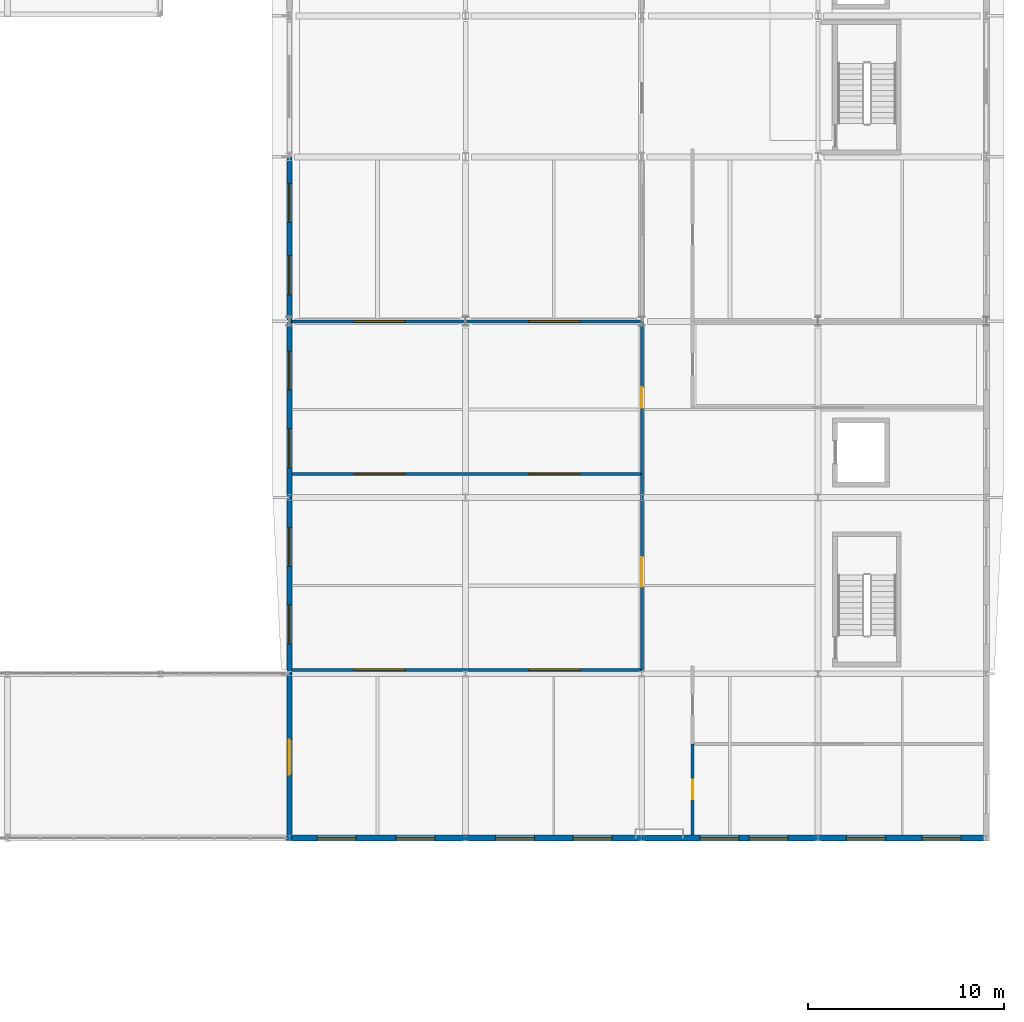
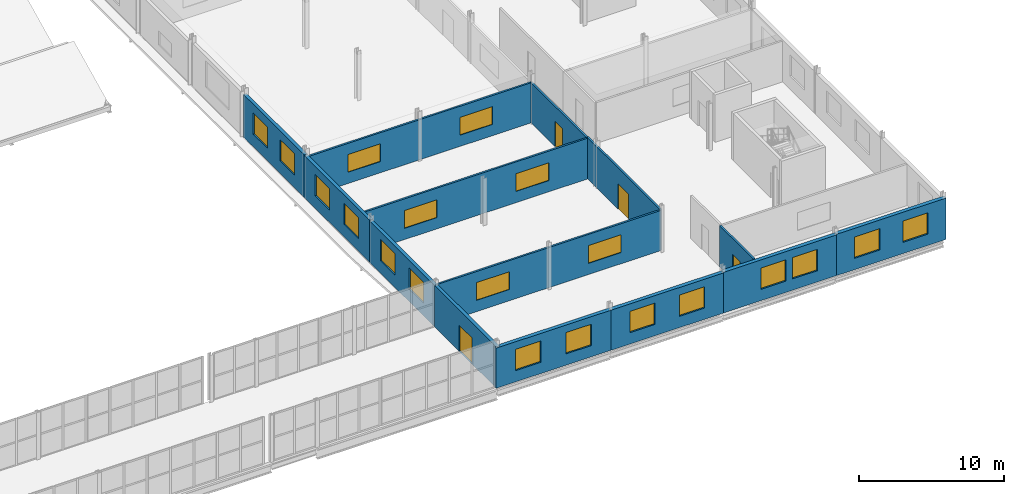
# One storey, part 119 of 138: 20 windows, 14 walls, 4 doors, 24 openings.
"""IFC4 building model written with IfcOpenShell, lengths in metres."""

from ifc_helpers import new_model, si_unit, direction, frame, frame_2d, origin, place, context, subcontext, project, spatial, rectangle, extrude, material, layer, layer_set, type_object, element, fill, save


model = new_model("IFC4")

# Units and contexts
model_context = context("Model", 3, precision=1e-05, world=origin(), true_north=direction((0.0, 1.0)))
body_context = subcontext(model_context, "Body", "Model", "MODEL_VIEW")
ifc_project = project(units=[si_unit("LENGTHUNIT", "METRE"), si_unit("AREAUNIT", "SQUARE_METRE"), si_unit("VOLUMEUNIT", "CUBIC_METRE"), si_unit("PLANEANGLEUNIT", "RADIAN"), si_unit("MASSUNIT", "GRAM", prefix="KILO")], contexts=[model_context])

# Site, building, storey
site_placement = place(None, origin())
site = spatial("IfcSite", under=ifc_project, at=site_placement, CompositionType="ELEMENT")
building_placement = place(site_placement, origin())
building = spatial("IfcBuilding", under=site, at=building_placement, Name="Vinh Khe Railworks Police Headquarters", CompositionType="ELEMENT")
storey_placement = place(building_placement, frame((0.0, 0.0, 9.0)))
storey = spatial("IfcBuildingStorey", under=building, at=storey_placement, Name="L02", CompositionType="ELEMENT", Elevation=9.0)

# Wall, opening, door
ifc_material_1 = material(Name="Clay brickwork", Category="masonry")
ifc_layer_1 = layer(ifc_material_1, 0.260009765625)
ifc_layer_set_1 = layer_set([ifc_layer_1], Name="Clay brickwork")
wall_type_1 = type_object("IfcWallType", Name="EW-BRK-260", PredefinedType="SOLIDWALL", material=ifc_layer_set_1)
wall_1_placement = place(storey_placement, frame((78.0, 95.8701171875, 0.0), z_axis=(0.0, 0.0, 1.0), x_axis=(0.0, 1.0, 0.0)))
wall_1 = element("IfcWall", 1, at=wall_1_placement, inside=storey, type_object=wall_type_1, Name="Exterior Brick Wall EW-L02-V6W-01", PredefinedType="SOLIDWALL", context=body_context, shape_type="SweptSolid", body=[
    extrude(rectangle(XDim=8.52978515625, YDim=0.260009765625, at=frame_2d((4.264892578125, 0.0))), origin(), (0.0, 0.0, 1.0), 3.485107421875),
])
opening_1_placement = place(wall_1_placement, frame((3.364990234375, 0.0, 0.0)))
opening_1 = element("IfcOpeningElement", 2, at=opening_1_placement, cuts=wall_1, Name="Opening ED-03", PredefinedType="OPENING", context=body_context, shape_type="SweptSolid", body=[
    extrude(rectangle(XDim=1.800048828125, YDim=2.199951171875, at=frame_2d((0.89990234375, 1.10009765625))), frame((0.0, 0.14501953125, 0.0), z_axis=(0.0, -1.0, 0.0), x_axis=(1.0, 0.0, 0.0)), (0.0, 0.0, 1.0), 0.289794921875),
])
ifc_material_2 = material(Name="Dark anodised aluminium and solar-control glass", Category="aluminium")
door_type_1 = type_object("IfcDoorType", Name="ED-TER-1800", OperationType="DOUBLE_DOOR_SINGLE_SWING", PredefinedType="DOOR", material=ifc_material_2)
door_1_placement = place(opening_1_placement, origin())
door_1 = element("IfcDoor", 3, at=door_1_placement, inside=storey, type_object=door_type_1, Name="Court Link Bridge East Portal Door L02", OperationType="DOUBLE_DOOR_SINGLE_SWING", OverallHeight=2.199951171875, OverallWidth=1.800048828125, PredefinedType="DOOR", context=body_context, shape_type="SweptSolid", body=[
    extrude(rectangle(XDim=1.800048828125, YDim=2.199951171875, at=frame_2d((0.89990234375, 1.10009765625))), frame((0.0, 0.02490234375, 0.0), z_axis=(0.0, -1.0, 0.0), x_axis=(1.0, 0.0, 0.0)), (0.0, 0.0, 1.0), 0.050048828125),
])
fill(opening_1, door_1)

# Wall, openings, windows
wall_2_placement = place(storey_placement, frame((78.0, 104.39990234375, 0.0), z_axis=(0.0, 0.0, 1.0), x_axis=(0.0, 1.0, 0.0)))
wall_2 = element("IfcWall", 4, at=wall_2_placement, inside=storey, type_object=wall_type_1, Name="Exterior Brick Wall EW-L02-V6W-02", PredefinedType="SOLIDWALL", context=body_context, shape_type="SweptSolid", body=[
    extrude(rectangle(XDim=9.0, YDim=0.260009765625, at=frame_2d((4.5, 0.0))), origin(), (0.0, 0.0, 1.0), 3.485107421875),
])
opening_2_placement = place(wall_2_placement, frame((1.52001953125, 0.0, 1.050048828125)))
opening_2 = element("IfcOpeningElement", 5, at=opening_2_placement, cuts=wall_2, Name="Opening WN-04", PredefinedType="OPENING", context=body_context, shape_type="SweptSolid", body=[
    extrude(rectangle(XDim=2.0, YDim=1.800048828125, at=frame_2d((1.0, 0.89990234375))), frame((0.0, 0.14501953125, 0.0), z_axis=(0.0, -1.0, 0.0), x_axis=(1.0, 0.0, 0.0)), (0.0, 0.0, 1.0), 0.289794921875),
])
opening_3_placement = place(wall_2_placement, frame((5.47998046875, 0.0, 1.050048828125)))
opening_3 = element("IfcOpeningElement", 6, at=opening_3_placement, cuts=wall_2, Name="Opening WN-04", PredefinedType="OPENING", context=body_context, shape_type="SweptSolid", body=[
    extrude(rectangle(XDim=2.0, YDim=1.800048828125, at=frame_2d((1.0, 0.89990234375))), frame((0.0, 0.14501953125, 0.0), z_axis=(0.0, -1.0, 0.0), x_axis=(1.0, 0.0, 0.0)), (0.0, 0.0, 1.0), 0.289794921875),
])
ifc_material_3 = material(Name="Double-glazed solar-control glass in dark steel frame", Category="steel")
window_type_1 = type_object("IfcWindowType", Name="WIN-WN-04", PartitioningType="DOUBLE_PANEL_VERTICAL", PredefinedType="WINDOW", material=ifc_material_3)
window_1_placement = place(opening_2_placement, origin())
window_1 = element("IfcWindow", 7, at=window_1_placement, inside=storey, type_object=window_type_1, Name="Casement Window WN-04", OverallHeight=1.800048828125, OverallWidth=2.0, PartitioningType="SINGLE_PANEL", PredefinedType="WINDOW", context=body_context, shape_type="SweptSolid", body=[
    extrude(rectangle(XDim=2.0, YDim=1.800048828125, at=frame_2d((1.0, 0.89990234375))), frame((0.0, 0.030029296875, 0.0), z_axis=(0.0, -1.0, 0.0), x_axis=(1.0, 0.0, 0.0)), (0.0, 0.0, 1.0), 0.06005859375),
])
fill(opening_2, window_1)
window_2_placement = place(opening_3_placement, origin())
window_2 = element("IfcWindow", 8, at=window_2_placement, inside=storey, type_object=window_type_1, Name="Casement Window WN-04", OverallHeight=1.800048828125, OverallWidth=2.0, PartitioningType="SINGLE_PANEL", PredefinedType="WINDOW", context=body_context, shape_type="SweptSolid", body=[
    extrude(rectangle(XDim=2.0, YDim=1.800048828125, at=frame_2d((1.0, 0.89990234375))), frame((0.0, 0.030029296875, 0.0), z_axis=(0.0, -1.0, 0.0), x_axis=(1.0, 0.0, 0.0)), (0.0, 0.0, 1.0), 0.06005859375),
])
fill(opening_3, window_2)

wall_3_placement = place(storey_placement, frame((78.0, 113.39990234375, 0.0), z_axis=(0.0, 0.0, 1.0), x_axis=(0.0, 1.0, 0.0)))
wall_3 = element("IfcWall", 9, at=wall_3_placement, inside=storey, type_object=wall_type_1, Name="Exterior Brick Wall EW-L02-V6W-03", PredefinedType="SOLIDWALL", context=body_context, shape_type="SweptSolid", body=[
    extrude(rectangle(XDim=9.0, YDim=0.260009765625, at=frame_2d((4.5, 0.0))), origin(), (0.0, 0.0, 1.0), 3.534912109375),
])
opening_4_placement = place(wall_3_placement, frame((1.52001953125, 0.0, 1.050048828125)))
opening_4 = element("IfcOpeningElement", 10, at=opening_4_placement, cuts=wall_3, Name="Opening WN-04", PredefinedType="OPENING", context=body_context, shape_type="SweptSolid", body=[
    extrude(rectangle(XDim=2.0, YDim=1.800048828125, at=frame_2d((1.0, 0.89990234375))), frame((0.0, 0.14501953125, 0.0), z_axis=(0.0, -1.0, 0.0), x_axis=(1.0, 0.0, 0.0)), (0.0, 0.0, 1.0), 0.289794921875),
])
opening_5_placement = place(wall_3_placement, frame((5.47998046875, 0.0, 1.050048828125)))
opening_5 = element("IfcOpeningElement", 11, at=opening_5_placement, cuts=wall_3, Name="Opening WN-04", PredefinedType="OPENING", context=body_context, shape_type="SweptSolid", body=[
    extrude(rectangle(XDim=2.0, YDim=1.800048828125, at=frame_2d((1.0, 0.89990234375))), frame((0.0, 0.14501953125, 0.0), z_axis=(0.0, -1.0, 0.0), x_axis=(1.0, 0.0, 0.0)), (0.0, 0.0, 1.0), 0.289794921875),
])
window_3_placement = place(opening_4_placement, origin())
window_3 = element("IfcWindow", 12, at=window_3_placement, inside=storey, type_object=window_type_1, Name="Casement Window WN-04", OverallHeight=1.800048828125, OverallWidth=2.0, PartitioningType="SINGLE_PANEL", PredefinedType="WINDOW", context=body_context, shape_type="SweptSolid", body=[
    extrude(rectangle(XDim=2.0, YDim=1.800048828125, at=frame_2d((1.0, 0.89990234375))), frame((0.0, 0.030029296875, 0.0), z_axis=(0.0, -1.0, 0.0), x_axis=(1.0, 0.0, 0.0)), (0.0, 0.0, 1.0), 0.06005859375),
])
fill(opening_4, window_3)
window_4_placement = place(opening_5_placement, origin())
window_4 = element("IfcWindow", 13, at=window_4_placement, inside=storey, type_object=window_type_1, Name="Casement Window WN-04", OverallHeight=1.800048828125, OverallWidth=2.0, PartitioningType="SINGLE_PANEL", PredefinedType="WINDOW", context=body_context, shape_type="SweptSolid", body=[
    extrude(rectangle(XDim=2.0, YDim=1.800048828125, at=frame_2d((1.0, 0.89990234375))), frame((0.0, 0.030029296875, 0.0), z_axis=(0.0, -1.0, 0.0), x_axis=(1.0, 0.0, 0.0)), (0.0, 0.0, 1.0), 0.06005859375),
])
fill(opening_5, window_4)

wall_4_placement = place(storey_placement, frame((78.0, 122.39990234375, 0.0), z_axis=(0.0, 0.0, 1.0), x_axis=(0.0, 1.0, 0.0)))
wall_4 = element("IfcWall", 14, at=wall_4_placement, inside=storey, type_object=wall_type_1, Name="Exterior Brick Wall EW-L02-V6W-04", PredefinedType="SOLIDWALL", context=body_context, shape_type="SweptSolid", body=[
    extrude(rectangle(XDim=8.400146484375, YDim=0.260009765625, at=frame_2d((4.2001953125, 0.0))), origin(), (0.0, 0.0, 1.0), 3.5849609375),
])
opening_6_placement = place(wall_4_placement, frame((1.35205078125, 0.0, 1.050048828125)))
opening_6 = element("IfcOpeningElement", 15, at=opening_6_placement, cuts=wall_4, Name="Opening WN-04", PredefinedType="OPENING", context=body_context, shape_type="SweptSolid", body=[
    extrude(rectangle(XDim=2.0, YDim=1.800048828125, at=frame_2d((1.0, 0.89990234375))), frame((0.0, 0.14501953125, 0.0), z_axis=(0.0, -1.0, 0.0), x_axis=(1.0, 0.0, 0.0)), (0.0, 0.0, 1.0), 0.289794921875),
])
opening_7_placement = place(wall_4_placement, frame((5.048095703125, 0.0, 1.050048828125)))
opening_7 = element("IfcOpeningElement", 16, at=opening_7_placement, cuts=wall_4, Name="Opening WN-04", PredefinedType="OPENING", context=body_context, shape_type="SweptSolid", body=[
    extrude(rectangle(XDim=2.0, YDim=1.800048828125, at=frame_2d((1.0, 0.89990234375))), frame((0.0, 0.14501953125, 0.0), z_axis=(0.0, -1.0, 0.0), x_axis=(1.0, 0.0, 0.0)), (0.0, 0.0, 1.0), 0.289794921875),
])
window_5_placement = place(opening_6_placement, origin())
window_5 = element("IfcWindow", 17, at=window_5_placement, inside=storey, type_object=window_type_1, Name="Casement Window WN-04", OverallHeight=1.800048828125, OverallWidth=2.0, PartitioningType="SINGLE_PANEL", PredefinedType="WINDOW", context=body_context, shape_type="SweptSolid", body=[
    extrude(rectangle(XDim=2.0, YDim=1.800048828125, at=frame_2d((1.0, 0.89990234375))), frame((0.0, 0.030029296875, 0.0), z_axis=(0.0, -1.0, 0.0), x_axis=(1.0, 0.0, 0.0)), (0.0, 0.0, 1.0), 0.06005859375),
])
fill(opening_6, window_5)
window_6_placement = place(opening_7_placement, origin())
window_6 = element("IfcWindow", 18, at=window_6_placement, inside=storey, type_object=window_type_1, Name="Casement Window WN-04", OverallHeight=1.800048828125, OverallWidth=2.0, PartitioningType="SINGLE_PANEL", PredefinedType="WINDOW", context=body_context, shape_type="SweptSolid", body=[
    extrude(rectangle(XDim=2.0, YDim=1.800048828125, at=frame_2d((1.0, 0.89990234375))), frame((0.0, 0.030029296875, 0.0), z_axis=(0.0, -1.0, 0.0), x_axis=(1.0, 0.0, 0.0)), (0.0, 0.0, 1.0), 0.06005859375),
])
fill(opening_7, window_6)

ifc_layer_2 = layer(ifc_material_1, 0.300048828125)
ifc_layer_set_2 = layer_set([ifc_layer_2], Name="Clay brickwork")
wall_type_2 = type_object("IfcWallType", Name="EW-BRK-300", PredefinedType="SOLIDWALL", material=ifc_layer_set_2)
wall_5_placement = place(storey_placement, frame((77.85009765625, 96.0, 0.0), z_axis=(0.0, 0.0, 1.0), x_axis=(1.0, 0.0, 0.0)))
wall_5 = element("IfcWall", 19, at=wall_5_placement, inside=storey, type_object=wall_type_2, Name="Exterior Brick Wall EW-L02-V6S-01", PredefinedType="SOLIDWALL", context=body_context, shape_type="SweptSolid", body=[
    extrude(rectangle(XDim=9.14990234375, YDim=0.300048828125, at=frame_2d((4.574951171875, 0.0))), origin(), (0.0, 0.0, 1.0), 3.385009765625),
])
opening_8_placement = place(wall_5_placement, frame((1.56201171875, 0.0, 0.949951171875)))
opening_8 = element("IfcOpeningElement", 20, at=opening_8_placement, cuts=wall_5, Name="Opening WN-04", PredefinedType="OPENING", context=body_context, shape_type="SweptSolid", body=[
    extrude(rectangle(XDim=2.0, YDim=1.800048828125, at=frame_2d((1.0, 0.89990234375))), frame((0.0, 0.1650390625, 0.0), z_axis=(0.0, -1.0, 0.0), x_axis=(1.0, 0.0, 0.0)), (0.0, 0.0, 1.0), 0.329833984375),
])
opening_9_placement = place(wall_5_placement, frame((5.587890625, 0.0, 0.949951171875)))
opening_9 = element("IfcOpeningElement", 21, at=opening_9_placement, cuts=wall_5, Name="Opening WN-04", PredefinedType="OPENING", context=body_context, shape_type="SweptSolid", body=[
    extrude(rectangle(XDim=2.0, YDim=1.800048828125, at=frame_2d((1.0, 0.89990234375))), frame((0.0, 0.1650390625, 0.0), z_axis=(0.0, -1.0, 0.0), x_axis=(1.0, 0.0, 0.0)), (0.0, 0.0, 1.0), 0.329833984375),
])
window_7_placement = place(opening_8_placement, origin())
window_7 = element("IfcWindow", 22, at=window_7_placement, inside=storey, type_object=window_type_1, Name="Casement Window WN-04", OverallHeight=1.800048828125, OverallWidth=2.0, PartitioningType="SINGLE_PANEL", PredefinedType="WINDOW", context=body_context, shape_type="SweptSolid", body=[
    extrude(rectangle(XDim=2.0, YDim=1.800048828125, at=frame_2d((1.0, 0.89990234375))), frame((0.0, 0.030029296875, 0.0), z_axis=(0.0, -1.0, 0.0), x_axis=(1.0, 0.0, 0.0)), (0.0, 0.0, 1.0), 0.06005859375),
])
fill(opening_8, window_7)
window_8_placement = place(opening_9_placement, origin())
window_8 = element("IfcWindow", 23, at=window_8_placement, inside=storey, type_object=window_type_1, Name="Casement Window WN-04", OverallHeight=1.800048828125, OverallWidth=2.0, PartitioningType="SINGLE_PANEL", PredefinedType="WINDOW", context=body_context, shape_type="SweptSolid", body=[
    extrude(rectangle(XDim=2.0, YDim=1.800048828125, at=frame_2d((1.0, 0.89990234375))), frame((0.0, 0.030029296875, 0.0), z_axis=(0.0, -1.0, 0.0), x_axis=(1.0, 0.0, 0.0)), (0.0, 0.0, 1.0), 0.06005859375),
])
fill(opening_9, window_8)

wall_6_placement = place(storey_placement, frame((87.0, 96.0, 0.0), z_axis=(0.0, 0.0, 1.0), x_axis=(1.0, 0.0, 0.0)))
wall_6 = element("IfcWall", 24, at=wall_6_placement, inside=storey, type_object=wall_type_2, Name="Exterior Brick Wall EW-L02-V6S-02", PredefinedType="SOLIDWALL", context=body_context, shape_type="SweptSolid", body=[
    extrude(rectangle(XDim=9.0, YDim=0.300048828125, at=frame_2d((4.5, 0.0))), origin(), (0.0, 0.0, 1.0), 3.385009765625),
])
opening_10_placement = place(wall_6_placement, frame((1.52001953125, 0.0, 0.949951171875)))
opening_10 = element("IfcOpeningElement", 25, at=opening_10_placement, cuts=wall_6, Name="Opening WN-04", PredefinedType="OPENING", context=body_context, shape_type="SweptSolid", body=[
    extrude(rectangle(XDim=2.0, YDim=1.800048828125, at=frame_2d((1.0, 0.89990234375))), frame((0.0, 0.1650390625, 0.0), z_axis=(0.0, -1.0, 0.0), x_axis=(1.0, 0.0, 0.0)), (0.0, 0.0, 1.0), 0.329833984375),
])
opening_11_placement = place(wall_6_placement, frame((5.47998046875, 0.0, 0.949951171875)))
opening_11 = element("IfcOpeningElement", 26, at=opening_11_placement, cuts=wall_6, Name="Opening WN-04", PredefinedType="OPENING", context=body_context, shape_type="SweptSolid", body=[
    extrude(rectangle(XDim=2.0, YDim=1.800048828125, at=frame_2d((1.0, 0.89990234375))), frame((0.0, 0.1650390625, 0.0), z_axis=(0.0, -1.0, 0.0), x_axis=(1.0, 0.0, 0.0)), (0.0, 0.0, 1.0), 0.329833984375),
])
window_9_placement = place(opening_10_placement, origin())
window_9 = element("IfcWindow", 27, at=window_9_placement, inside=storey, type_object=window_type_1, Name="Casement Window WN-04", OverallHeight=1.800048828125, OverallWidth=2.0, PartitioningType="SINGLE_PANEL", PredefinedType="WINDOW", context=body_context, shape_type="SweptSolid", body=[
    extrude(rectangle(XDim=2.0, YDim=1.800048828125, at=frame_2d((1.0, 0.89990234375))), frame((0.0, 0.030029296875, 0.0), z_axis=(0.0, -1.0, 0.0), x_axis=(1.0, 0.0, 0.0)), (0.0, 0.0, 1.0), 0.06005859375),
])
fill(opening_10, window_9)
window_10_placement = place(opening_11_placement, origin())
window_10 = element("IfcWindow", 28, at=window_10_placement, inside=storey, type_object=window_type_1, Name="Casement Window WN-04", OverallHeight=1.800048828125, OverallWidth=2.0, PartitioningType="SINGLE_PANEL", PredefinedType="WINDOW", context=body_context, shape_type="SweptSolid", body=[
    extrude(rectangle(XDim=2.0, YDim=1.800048828125, at=frame_2d((1.0, 0.89990234375))), frame((0.0, 0.030029296875, 0.0), z_axis=(0.0, -1.0, 0.0), x_axis=(1.0, 0.0, 0.0)), (0.0, 0.0, 1.0), 0.06005859375),
])
fill(opening_11, window_10)

wall_7_placement = place(storey_placement, frame((96.0, 96.0, 0.0), z_axis=(0.0, 0.0, 1.0), x_axis=(1.0, 0.0, 0.0)))
wall_7 = element("IfcWall", 29, at=wall_7_placement, inside=storey, type_object=wall_type_2, Name="Exterior Brick Wall EW-L02-V6S-03", PredefinedType="SOLIDWALL", context=body_context, shape_type="SweptSolid", body=[
    extrude(rectangle(XDim=9.0, YDim=0.300048828125, at=frame_2d((4.5, 0.0))), origin(), (0.0, 0.0, 1.0), 3.43505859375),
])
opening_12_placement = place(wall_7_placement, frame((2.969970703125, 0.0, 0.949951171875)))
opening_12 = element("IfcOpeningElement", 30, at=opening_12_placement, cuts=wall_7, Name="Opening WN-04", PredefinedType="OPENING", context=body_context, shape_type="SweptSolid", body=[
    extrude(rectangle(XDim=2.0, YDim=1.800048828125, at=frame_2d((1.0, 0.89990234375))), frame((0.0, 0.1650390625, 0.0), z_axis=(0.0, -1.0, 0.0), x_axis=(1.0, 0.0, 0.0)), (0.0, 0.0, 1.0), 0.329833984375),
])
opening_13_placement = place(wall_7_placement, frame((5.47998046875, 0.0, 0.949951171875)))
opening_13 = element("IfcOpeningElement", 31, at=opening_13_placement, cuts=wall_7, Name="Opening WN-04", PredefinedType="OPENING", context=body_context, shape_type="SweptSolid", body=[
    extrude(rectangle(XDim=2.0, YDim=1.800048828125, at=frame_2d((1.0, 0.89990234375))), frame((0.0, 0.1650390625, 0.0), z_axis=(0.0, -1.0, 0.0), x_axis=(1.0, 0.0, 0.0)), (0.0, 0.0, 1.0), 0.329833984375),
])
window_11_placement = place(opening_12_placement, origin())
window_11 = element("IfcWindow", 32, at=window_11_placement, inside=storey, type_object=window_type_1, Name="Casement Window WN-04", OverallHeight=1.800048828125, OverallWidth=2.0, PartitioningType="SINGLE_PANEL", PredefinedType="WINDOW", context=body_context, shape_type="SweptSolid", body=[
    extrude(rectangle(XDim=2.0, YDim=1.800048828125, at=frame_2d((1.0, 0.89990234375))), frame((0.0, 0.030029296875, 0.0), z_axis=(0.0, -1.0, 0.0), x_axis=(1.0, 0.0, 0.0)), (0.0, 0.0, 1.0), 0.06005859375),
])
fill(opening_12, window_11)
window_12_placement = place(opening_13_placement, origin())
window_12 = element("IfcWindow", 33, at=window_12_placement, inside=storey, type_object=window_type_1, Name="Casement Window WN-04", OverallHeight=1.800048828125, OverallWidth=2.0, PartitioningType="SINGLE_PANEL", PredefinedType="WINDOW", context=body_context, shape_type="SweptSolid", body=[
    extrude(rectangle(XDim=2.0, YDim=1.800048828125, at=frame_2d((1.0, 0.89990234375))), frame((0.0, 0.030029296875, 0.0), z_axis=(0.0, -1.0, 0.0), x_axis=(1.0, 0.0, 0.0)), (0.0, 0.0, 1.0), 0.06005859375),
])
fill(opening_13, window_12)

wall_8_placement = place(storey_placement, frame((105.0, 96.0, 0.0), z_axis=(0.0, 0.0, 1.0), x_axis=(1.0, 0.0, 0.0)))
wall_8 = element("IfcWall", 34, at=wall_8_placement, inside=storey, type_object=wall_type_2, Name="Exterior Brick Wall EW-L02-V6S-04", PredefinedType="SOLIDWALL", context=body_context, shape_type="SweptSolid", body=[
    extrude(rectangle(XDim=8.75, YDim=0.300048828125, at=frame_2d((4.375, 0.0))), origin(), (0.0, 0.0, 1.0), 3.485107421875),
])
opening_14_placement = place(wall_8_placement, frame((1.449951171875, 0.0, 0.949951171875)))
opening_14 = element("IfcOpeningElement", 35, at=opening_14_placement, cuts=wall_8, Name="Opening WN-04", PredefinedType="OPENING", context=body_context, shape_type="SweptSolid", body=[
    extrude(rectangle(XDim=2.0, YDim=1.800048828125, at=frame_2d((1.0, 0.89990234375))), frame((0.0, 0.1650390625, 0.0), z_axis=(0.0, -1.0, 0.0), x_axis=(1.0, 0.0, 0.0)), (0.0, 0.0, 1.0), 0.329833984375),
])
opening_15_placement = place(wall_8_placement, frame((5.300048828125, 0.0, 0.949951171875)))
opening_15 = element("IfcOpeningElement", 36, at=opening_15_placement, cuts=wall_8, Name="Opening WN-04", PredefinedType="OPENING", context=body_context, shape_type="SweptSolid", body=[
    extrude(rectangle(XDim=2.0, YDim=1.800048828125, at=frame_2d((1.0, 0.89990234375))), frame((0.0, 0.1650390625, 0.0), z_axis=(0.0, -1.0, 0.0), x_axis=(1.0, 0.0, 0.0)), (0.0, 0.0, 1.0), 0.329833984375),
])
window_13_placement = place(opening_14_placement, origin())
window_13 = element("IfcWindow", 37, at=window_13_placement, inside=storey, type_object=window_type_1, Name="Casement Window WN-04", OverallHeight=1.800048828125, OverallWidth=2.0, PartitioningType="SINGLE_PANEL", PredefinedType="WINDOW", context=body_context, shape_type="SweptSolid", body=[
    extrude(rectangle(XDim=2.0, YDim=1.800048828125, at=frame_2d((1.0, 0.89990234375))), frame((0.0, 0.030029296875, 0.0), z_axis=(0.0, -1.0, 0.0), x_axis=(1.0, 0.0, 0.0)), (0.0, 0.0, 1.0), 0.06005859375),
])
fill(opening_14, window_13)
window_14_placement = place(opening_15_placement, origin())
window_14 = element("IfcWindow", 38, at=window_14_placement, inside=storey, type_object=window_type_1, Name="Casement Window WN-04", OverallHeight=1.800048828125, OverallWidth=2.0, PartitioningType="SINGLE_PANEL", PredefinedType="WINDOW", context=body_context, shape_type="SweptSolid", body=[
    extrude(rectangle(XDim=2.0, YDim=1.800048828125, at=frame_2d((1.0, 0.89990234375))), frame((0.0, 0.030029296875, 0.0), z_axis=(0.0, -1.0, 0.0), x_axis=(1.0, 0.0, 0.0)), (0.0, 0.0, 1.0), 0.06005859375),
])
fill(opening_15, window_14)

ifc_material_4 = material(Name="Gypsum plasterboard on steel stud", Category="steel")
ifc_layer_3 = layer(ifc_material_4, 0.1201171875)
ifc_layer_set_3 = layer_set([ifc_layer_3], Name="Gypsum plasterboard on steel stud")
wall_type_3 = type_object("IfcWallType", Name="IW-PART-120", PredefinedType="PARTITIONING", material=ifc_layer_set_3)
wall_9_placement = place(storey_placement, frame((78.139892578125, 104.60009765625, 0.0), z_axis=(0.0, 0.0, 1.0), x_axis=(1.0, 0.0, 0.0)))
wall_9 = element("IfcWall", 39, at=wall_9_placement, inside=storey, type_object=wall_type_3, Name="Interior Partition W-L02-V6-JCUST-DIV", PredefinedType="PARTITIONING", context=body_context, shape_type="SweptSolid", body=[
    extrude(rectangle(XDim=17.860107421875, YDim=0.14990234375, at=frame_2d((8.93017578125, 0.0))), origin(), (0.0, 0.0, 1.0), 3.385009765625),
])
opening_16_placement = place(wall_9_placement, frame((3.1650390625, 0.0, 0.949951171875)))
opening_16 = element("IfcOpeningElement", 40, at=opening_16_placement, cuts=wall_9, Name="Opening WN-07", PredefinedType="OPENING", context=body_context, shape_type="SweptSolid", body=[
    extrude(rectangle(XDim=2.60009765625, YDim=1.5, at=frame_2d((1.300048828125, 0.75))), frame((0.0, 0.08984375, 0.0), z_axis=(0.0, -1.0, 0.0), x_axis=(1.0, 0.0, 0.0)), (0.0, 0.0, 1.0), 0.1796875),
])
opening_17_placement = place(wall_9_placement, frame((12.094970703125, 0.0, 0.949951171875)))
opening_17 = element("IfcOpeningElement", 41, at=opening_17_placement, cuts=wall_9, Name="Opening WN-07", PredefinedType="OPENING", context=body_context, shape_type="SweptSolid", body=[
    extrude(rectangle(XDim=2.60009765625, YDim=1.5, at=frame_2d((1.300048828125, 0.75))), frame((0.0, 0.08984375, 0.0), z_axis=(0.0, -1.0, 0.0), x_axis=(1.0, 0.0, 0.0)), (0.0, 0.0, 1.0), 0.1796875),
])
window_type_2 = type_object("IfcWindowType", Name="WIN-WN-07", PartitioningType="DOUBLE_PANEL_HORIZONTAL", PredefinedType="WINDOW", material=ifc_material_3)
window_15_placement = place(opening_16_placement, origin())
window_15 = element("IfcWindow", 42, at=window_15_placement, inside=storey, type_object=window_type_2, Name="Interior Acoustic Vision Window WN-07", OverallHeight=1.5, OverallWidth=2.60009765625, PartitioningType="SINGLE_PANEL", PredefinedType="WINDOW", context=body_context, shape_type="SweptSolid", body=[
    extrude(rectangle(XDim=2.60009765625, YDim=1.5, at=frame_2d((1.300048828125, 0.75))), frame((0.0, 0.030029296875, 0.0), z_axis=(0.0, -1.0, 0.0), x_axis=(1.0, 0.0, 0.0)), (0.0, 0.0, 1.0), 0.06005859375),
])
fill(opening_16, window_15)
window_16_placement = place(opening_17_placement, origin())
window_16 = element("IfcWindow", 43, at=window_16_placement, inside=storey, type_object=window_type_2, Name="Interior Acoustic Vision Window WN-07", OverallHeight=1.5, OverallWidth=2.60009765625, PartitioningType="SINGLE_PANEL", PredefinedType="WINDOW", context=body_context, shape_type="SweptSolid", body=[
    extrude(rectangle(XDim=2.60009765625, YDim=1.5, at=frame_2d((1.300048828125, 0.75))), frame((0.0, 0.030029296875, 0.0), z_axis=(0.0, -1.0, 0.0), x_axis=(1.0, 0.0, 0.0)), (0.0, 0.0, 1.0), 0.06005859375),
])
fill(opening_17, window_16)

wall_10_placement = place(storey_placement, frame((78.139892578125, 114.60009765625, 0.0), z_axis=(0.0, 0.0, 1.0), x_axis=(1.0, 0.0, 0.0)))
wall_10 = element("IfcWall", 44, at=wall_10_placement, inside=storey, type_object=wall_type_3, Name="Interior Partition W-L02-V6-VREM-DIV", PredefinedType="PARTITIONING", context=body_context, shape_type="SweptSolid", body=[
    extrude(rectangle(XDim=17.860107421875, YDim=0.14990234375, at=frame_2d((8.93017578125, 0.0))), origin(), (0.0, 0.0, 1.0), 3.43505859375),
])
opening_18_placement = place(wall_10_placement, frame((3.1650390625, 0.0, 0.949951171875)))
opening_18 = element("IfcOpeningElement", 45, at=opening_18_placement, cuts=wall_10, Name="Opening WN-07", PredefinedType="OPENING", context=body_context, shape_type="SweptSolid", body=[
    extrude(rectangle(XDim=2.60009765625, YDim=1.5, at=frame_2d((1.300048828125, 0.75))), frame((0.0, 0.08984375, 0.0), z_axis=(0.0, -1.0, 0.0), x_axis=(1.0, 0.0, 0.0)), (0.0, 0.0, 1.0), 0.1796875),
])
opening_19_placement = place(wall_10_placement, frame((12.094970703125, 0.0, 0.949951171875)))
opening_19 = element("IfcOpeningElement", 46, at=opening_19_placement, cuts=wall_10, Name="Opening WN-07", PredefinedType="OPENING", context=body_context, shape_type="SweptSolid", body=[
    extrude(rectangle(XDim=2.60009765625, YDim=1.5, at=frame_2d((1.300048828125, 0.75))), frame((0.0, 0.08984375, 0.0), z_axis=(0.0, -1.0, 0.0), x_axis=(1.0, 0.0, 0.0)), (0.0, 0.0, 1.0), 0.1796875),
])
window_17_placement = place(opening_18_placement, origin())
window_17 = element("IfcWindow", 47, at=window_17_placement, inside=storey, type_object=window_type_2, Name="Interior Acoustic Vision Window WN-07", OverallHeight=1.5, OverallWidth=2.60009765625, PartitioningType="SINGLE_PANEL", PredefinedType="WINDOW", context=body_context, shape_type="SweptSolid", body=[
    extrude(rectangle(XDim=2.60009765625, YDim=1.5, at=frame_2d((1.300048828125, 0.75))), frame((0.0, 0.030029296875, 0.0), z_axis=(0.0, -1.0, 0.0), x_axis=(1.0, 0.0, 0.0)), (0.0, 0.0, 1.0), 0.06005859375),
])
fill(opening_18, window_17)
window_18_placement = place(opening_19_placement, origin())
window_18 = element("IfcWindow", 48, at=window_18_placement, inside=storey, type_object=window_type_2, Name="Interior Acoustic Vision Window WN-07", OverallHeight=1.5, OverallWidth=2.60009765625, PartitioningType="SINGLE_PANEL", PredefinedType="WINDOW", context=body_context, shape_type="SweptSolid", body=[
    extrude(rectangle(XDim=2.60009765625, YDim=1.5, at=frame_2d((1.300048828125, 0.75))), frame((0.0, 0.030029296875, 0.0), z_axis=(0.0, -1.0, 0.0), x_axis=(1.0, 0.0, 0.0)), (0.0, 0.0, 1.0), 0.06005859375),
])
fill(opening_19, window_18)

wall_11_placement = place(storey_placement, frame((78.139892578125, 122.39990234375, 0.0), z_axis=(0.0, 0.0, 1.0), x_axis=(1.0, 0.0, 0.0)))
wall_11 = element("IfcWall", 49, at=wall_11_placement, inside=storey, type_object=wall_type_3, Name="Interior Partition W-L02-V6-FBALL-DIV", PredefinedType="PARTITIONING", context=body_context, shape_type="SweptSolid", body=[
    extrude(rectangle(XDim=17.860107421875, YDim=0.14990234375, at=frame_2d((8.93017578125, 0.0))), origin(), (0.0, 0.0, 1.0), 3.385009765625),
])
opening_20_placement = place(wall_11_placement, frame((3.1650390625, 0.0, 0.949951171875)))
opening_20 = element("IfcOpeningElement", 50, at=opening_20_placement, cuts=wall_11, Name="Opening WN-07", PredefinedType="OPENING", context=body_context, shape_type="SweptSolid", body=[
    extrude(rectangle(XDim=2.60009765625, YDim=1.5, at=frame_2d((1.300048828125, 0.75))), frame((0.0, 0.08984375, 0.0), z_axis=(0.0, -1.0, 0.0), x_axis=(1.0, 0.0, 0.0)), (0.0, 0.0, 1.0), 0.1796875),
])
opening_21_placement = place(wall_11_placement, frame((12.094970703125, 0.0, 0.949951171875)))
opening_21 = element("IfcOpeningElement", 51, at=opening_21_placement, cuts=wall_11, Name="Opening WN-07", PredefinedType="OPENING", context=body_context, shape_type="SweptSolid", body=[
    extrude(rectangle(XDim=2.60009765625, YDim=1.5, at=frame_2d((1.300048828125, 0.75))), frame((0.0, 0.08984375, 0.0), z_axis=(0.0, -1.0, 0.0), x_axis=(1.0, 0.0, 0.0)), (0.0, 0.0, 1.0), 0.1796875),
])
window_19_placement = place(opening_20_placement, origin())
window_19 = element("IfcWindow", 52, at=window_19_placement, inside=storey, type_object=window_type_2, Name="Interior Acoustic Vision Window WN-07", OverallHeight=1.5, OverallWidth=2.60009765625, PartitioningType="SINGLE_PANEL", PredefinedType="WINDOW", context=body_context, shape_type="SweptSolid", body=[
    extrude(rectangle(XDim=2.60009765625, YDim=1.5, at=frame_2d((1.300048828125, 0.75))), frame((0.0, 0.030029296875, 0.0), z_axis=(0.0, -1.0, 0.0), x_axis=(1.0, 0.0, 0.0)), (0.0, 0.0, 1.0), 0.06005859375),
])
fill(opening_20, window_19)
window_20_placement = place(opening_21_placement, origin())
window_20 = element("IfcWindow", 53, at=window_20_placement, inside=storey, type_object=window_type_2, Name="Interior Acoustic Vision Window WN-07", OverallHeight=1.5, OverallWidth=2.60009765625, PartitioningType="SINGLE_PANEL", PredefinedType="WINDOW", context=body_context, shape_type="SweptSolid", body=[
    extrude(rectangle(XDim=2.60009765625, YDim=1.5, at=frame_2d((1.300048828125, 0.75))), frame((0.0, 0.030029296875, 0.0), z_axis=(0.0, -1.0, 0.0), x_axis=(1.0, 0.0, 0.0)), (0.0, 0.0, 1.0), 0.06005859375),
])
fill(opening_21, window_20)

# Wall, opening, door
ifc_material_5 = material(Name="Gypsum plasterboard on acoustic steel stud", Category="steel")
ifc_layer_4 = layer(ifc_material_5, 0.14990234375)
ifc_layer_set_4 = layer_set([ifc_layer_4], Name="Gypsum plasterboard on acoustic steel stud")
wall_type_4 = type_object("IfcWallType", Name="IW-PART-150", PredefinedType="PARTITIONING", material=ifc_layer_set_4)
wall_12_placement = place(storey_placement, frame((96.0, 104.60009765625, 0.0), z_axis=(0.0, 0.0, 1.0), x_axis=(0.0, 1.0, 0.0)))
wall_12 = element("IfcWall", 54, at=wall_12_placement, inside=storey, type_object=wall_type_4, Name="Interior Partition W-L02-V6-JCUST-CW", PredefinedType="PARTITIONING", context=body_context, shape_type="SweptSolid", body=[
    extrude(rectangle(XDim=10.0, YDim=0.14990234375, at=frame_2d((5.0, 0.0))), origin(), (0.0, 0.0, 1.0), 3.485107421875),
])
opening_22_placement = place(wall_12_placement, frame((4.25, 0.0, 0.0)))
opening_22 = element("IfcOpeningElement", 55, at=opening_22_placement, cuts=wall_12, Name="Opening FD-02", PredefinedType="OPENING", context=body_context, shape_type="SweptSolid", body=[
    extrude(rectangle(XDim=1.5, YDim=2.14990234375, at=frame_2d((0.75, 1.074951171875))), frame((0.0, 0.08984375, 0.0), z_axis=(0.0, -1.0, 0.0), x_axis=(1.0, 0.0, 0.0)), (0.0, 0.0, 1.0), 0.1796875),
])
ifc_material_6 = material(Name="Painted galvanised steel", Category="steel")
door_type_2 = type_object("IfcDoorType", Name="FD-1500x2150", OperationType="DOUBLE_DOOR_SINGLE_SWING", PredefinedType="DOOR", material=ifc_material_6)
door_2_placement = place(opening_22_placement, origin())
door_2 = element("IfcDoor", 56, at=door_2_placement, inside=storey, type_object=door_type_2, Name="Juvenile and Female Custody Suite Door", OperationType="DOUBLE_DOOR_SINGLE_SWING", OverallHeight=2.14990234375, OverallWidth=1.5, PredefinedType="DOOR", context=body_context, shape_type="SweptSolid", body=[
    extrude(rectangle(XDim=1.5, YDim=2.14990234375, at=frame_2d((0.75, 1.074951171875))), frame((0.0, 0.02490234375, 0.0), z_axis=(0.0, -1.0, 0.0), x_axis=(1.0, 0.0, 0.0)), (0.0, 0.0, 1.0), 0.050048828125),
])
fill(opening_22, door_2)

wall_13_placement = place(storey_placement, frame((96.0, 114.60009765625, 0.0), z_axis=(0.0, 0.0, 1.0), x_axis=(0.0, 1.0, 0.0)))
wall_13 = element("IfcWall", 57, at=wall_13_placement, inside=storey, type_object=wall_type_4, Name="Interior Partition W-L02-V6-VREM-CW", PredefinedType="PARTITIONING", context=body_context, shape_type="SweptSolid", body=[
    extrude(rectangle(XDim=7.7998046875, YDim=0.14990234375, at=frame_2d((3.89990234375, 0.0))), origin(), (0.0, 0.0, 1.0), 3.385009765625),
])
opening_23_placement = place(wall_13_placement, frame((3.375, 0.0, 0.0)))
opening_23 = element("IfcOpeningElement", 58, at=opening_23_placement, cuts=wall_13, Name="Opening D-02", PredefinedType="OPENING", context=body_context, shape_type="SweptSolid", body=[
    extrude(rectangle(XDim=1.050048828125, YDim=2.14990234375, at=frame_2d((0.52490234375, 1.074951171875))), frame((0.0, 0.08984375, 0.0), z_axis=(0.0, -1.0, 0.0), x_axis=(1.0, 0.0, 0.0)), (0.0, 0.0, 1.0), 0.1796875),
])
ifc_material_7 = material(Name="Seasoned hardwood timber", Category="wood")
door_type_3 = type_object("IfcDoorType", Name="ID-1050x2150", OperationType="NOTDEFINED", PredefinedType="DOOR", material=ifc_material_7)
door_3_placement = place(opening_23_placement, origin())
door_3 = element("IfcDoor", 59, at=door_3_placement, inside=storey, type_object=door_type_3, Name="Video Remand Hearing Room Door", OperationType="SINGLE_SWING_LEFT", OverallHeight=2.14990234375, OverallWidth=1.050048828125, PredefinedType="DOOR", context=body_context, shape_type="SweptSolid", body=[
    extrude(rectangle(XDim=1.050048828125, YDim=2.14990234375, at=frame_2d((0.52490234375, 1.074951171875))), frame((0.0, 0.02490234375, 0.0), z_axis=(0.0, -1.0, 0.0), x_axis=(1.0, 0.0, 0.0)), (0.0, 0.0, 1.0), 0.050048828125),
])
fill(opening_23, door_3)

wall_14_placement = place(storey_placement, frame((98.60009765625, 96.159912109375, 0.0), z_axis=(0.0, 0.0, 1.0), x_axis=(0.0, 1.0, 0.0)))
wall_14 = element("IfcWall", 60, at=wall_14_placement, inside=storey, type_object=wall_type_4, Name="Interior Partition W-L02-V6-CELL7-CE", PredefinedType="PARTITIONING", context=body_context, shape_type="SweptSolid", body=[
    extrude(rectangle(XDim=4.64013671875, YDim=0.14990234375, at=frame_2d((2.320068359375, 0.0))), origin(), (0.0, 0.0, 1.0), 3.485107421875),
])
opening_24_placement = place(wall_14_placement, frame((1.820068359375, 0.0, 0.0)))
opening_24 = element("IfcOpeningElement", 61, at=opening_24_placement, cuts=wall_14, Name="Opening FD-03", PredefinedType="OPENING", context=body_context, shape_type="SweptSolid", body=[
    extrude(rectangle(XDim=1.0, YDim=2.14990234375, at=frame_2d((0.5, 1.074951171875))), frame((0.0, 0.08984375, 0.0), z_axis=(0.0, -1.0, 0.0), x_axis=(1.0, 0.0, 0.0)), (0.0, 0.0, 1.0), 0.1796875),
])
door_type_4 = type_object("IfcDoorType", Name="FD-1000x2150", OperationType="NOTDEFINED", PredefinedType="DOOR", material=ifc_material_6)
door_4_placement = place(opening_24_placement, origin())
door_4 = element("IfcDoor", 62, at=door_4_placement, inside=storey, type_object=door_type_4, Name="Detention Cell 07 Door", OperationType="SINGLE_SWING_RIGHT", OverallHeight=2.14990234375, OverallWidth=1.0, PredefinedType="DOOR", context=body_context, shape_type="SweptSolid", body=[
    extrude(rectangle(XDim=1.0, YDim=2.14990234375, at=frame_2d((0.5, 1.074951171875))), frame((0.0, 0.02490234375, 0.0), z_axis=(0.0, -1.0, 0.0), x_axis=(1.0, 0.0, 0.0)), (0.0, 0.0, 1.0), 0.050048828125),
])
fill(opening_24, door_4)

save(model, "model.ifc")
